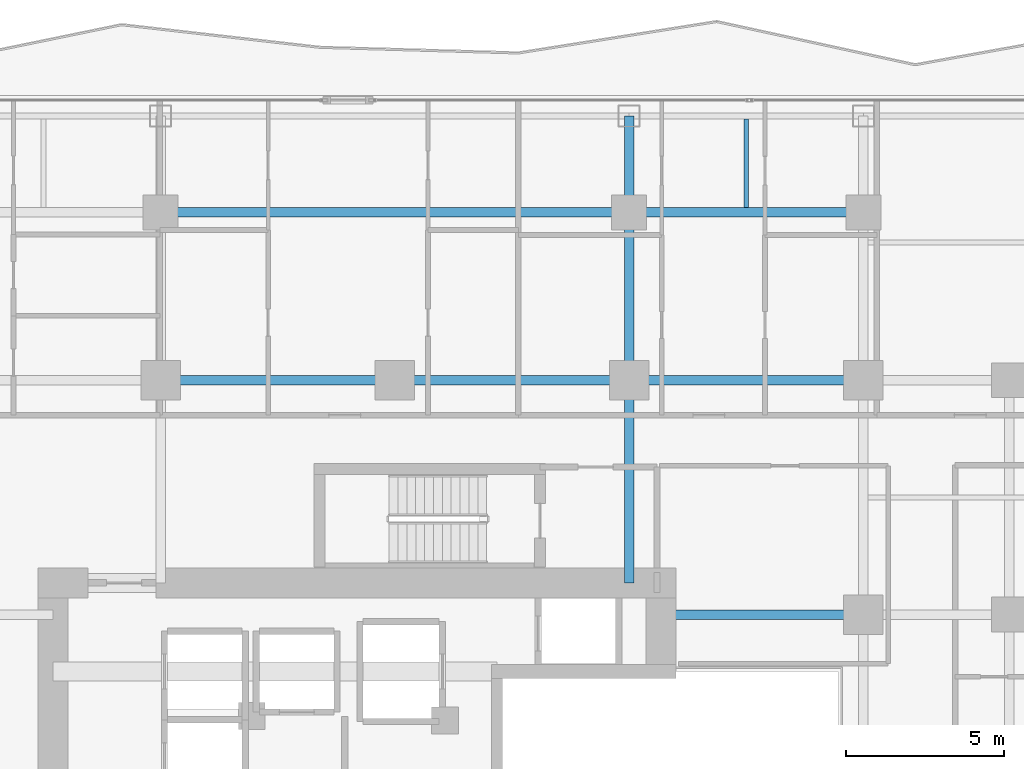
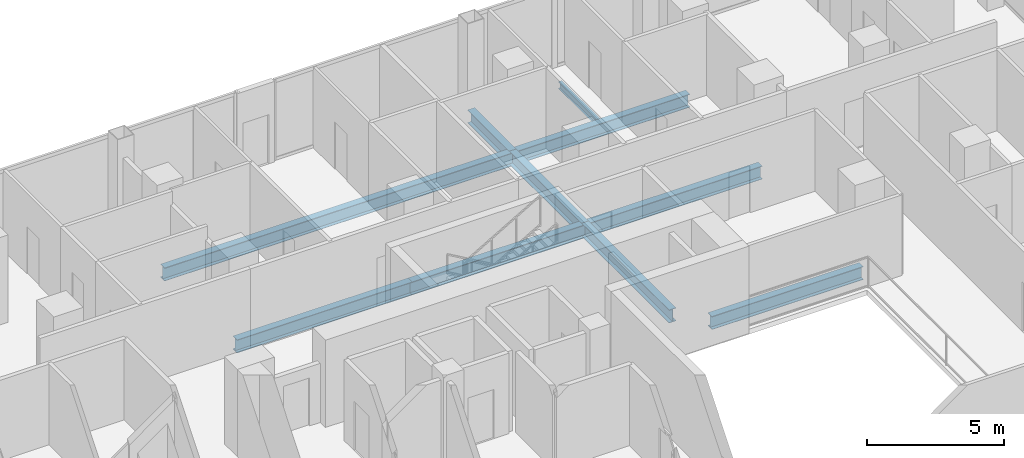
# One storey, part 13 of 27: 10 beams.
"""IFC4 building model written with IfcOpenShell, lengths in metres."""

from ifc_helpers import new_model, si_unit, direction, frame, origin, origin_2d, place, context, subcontext, project, spatial, i_section, extrude, material, material_profile, profile_set, type_object, element, save


model = new_model("IFC4")

# Units and contexts
model_context = context("Model", 3, precision=1e-05, world=origin(), true_north=direction((0.0, 1.0)))
body_context = subcontext(model_context, "Body", "Model", "MODEL_VIEW")
ifc_project = project(units=[si_unit("LENGTHUNIT", "METRE"), si_unit("AREAUNIT", "SQUARE_METRE"), si_unit("VOLUMEUNIT", "CUBIC_METRE"), si_unit("PLANEANGLEUNIT", "RADIAN"), si_unit("MASSUNIT", "GRAM", prefix="KILO")], contexts=[model_context])

# Site, building, storey
site_placement = place(None, origin())
site = spatial("IfcSite", under=ifc_project, at=site_placement, CompositionType="ELEMENT")
building_placement = place(site_placement, origin())
building = spatial("IfcBuilding", under=site, at=building_placement, Name="Khorvyn Point Tower", CompositionType="ELEMENT")
storey_placement = place(building_placement, frame((0.0, 0.0, 152.39990234375)))
storey = spatial("IfcBuildingStorey", under=building, at=storey_placement, Name="L38", CompositionType="ELEMENT", Elevation=152.39990234375)

# Beams
ifc_material = material(Name="Steel S355", Category="steel")
ifc_material_profile_1 = material_profile(ifc_material, i_section(OverallWidth=0.300048828125, OverallDepth=0.587890625, WebThickness=0.011962890625, FlangeThickness=0.02001953125, at=origin_2d()))
ifc_profile_set_1 = profile_set([ifc_material_profile_1], Name="Steel S355 H588x300x12x20")
beam_type_1 = type_object("IfcBeamType", Name="Steel S355 Beam H588x300x12x20", PredefinedType="BEAM", material=ifc_profile_set_1)
for number, where, z_axis, x_axis, name in (
    (1, (-7.39990234375, 14.800048828125, -0.513916015625), (1.0, 0.0, 0.0), (0.0, 1.0, 0.0), "Beam"),
    (2, (0.0, 14.800048828125, -0.513916015625), (1.0, 0.0, 0.0), (0.0, 1.0, 0.0), "Beam"),
):
    element("IfcBeam", number, at=place(storey_placement, frame(where, z_axis=z_axis, x_axis=x_axis)), inside=storey, type_object=beam_type_1, Name=name, PredefinedType="BEAM", context=body_context, shape_type="SweptSolid", body=[
        extrude(i_section(OverallWidth=0.300048828125, OverallDepth=0.587890625, WebThickness=0.011962890625, FlangeThickness=0.02001953125, at=origin_2d()), origin(), (0.0, 0.0, 1.0), 7.39990234375),
    ])
beam_1_placement = place(storey_placement, frame((7.39990234375, 14.800048828125, -0.513916015625), z_axis=(1.0, 0.0, 0.0), x_axis=(0.0, 1.0, 0.0)))
element("IfcBeam", 3, at=beam_1_placement, inside=storey, type_object=beam_type_1, Name="Beam", PredefinedType="BEAM", context=body_context, shape_type="SweptSolid", body=[
    extrude(i_section(OverallWidth=0.300048828125, OverallDepth=0.587890625, WebThickness=0.011962890625, FlangeThickness=0.02001953125, at=origin_2d()), origin(), (0.0, 0.0, 1.0), 7.400146484375),
])
beam_2_placement = place(storey_placement, frame((8.39990234375, 7.39990234375, -0.513916015625), z_axis=(1.0, 0.0, 0.0), x_axis=(0.0, 1.0, 0.0)))
element("IfcBeam", 4, at=beam_2_placement, inside=storey, type_object=beam_type_1, Name="Beam", PredefinedType="BEAM", context=body_context, shape_type="SweptSolid", body=[
    extrude(i_section(OverallWidth=0.300048828125, OverallDepth=0.587890625, WebThickness=0.011962890625, FlangeThickness=0.02001953125, at=origin_2d()), origin(), (0.0, 0.0, 1.0), 6.400146484375),
])
beam_3_placement = place(storey_placement, frame((-7.39990234375, 20.10009765625, -0.513916015625), z_axis=(1.0, 0.0, 0.0), x_axis=(0.0, 1.0, 0.0)))
element("IfcBeam", 5, at=beam_3_placement, inside=storey, type_object=beam_type_1, Name="Beam", PredefinedType="BEAM", context=body_context, shape_type="SweptSolid", body=[
    extrude(i_section(OverallWidth=0.300048828125, OverallDepth=0.587890625, WebThickness=0.011962890625, FlangeThickness=0.02001953125, at=origin_2d()), origin(), (0.0, 0.0, 1.0), 14.7998046875),
])
beam_4_placement = place(storey_placement, frame((7.39990234375, 20.10009765625, -0.513916015625), z_axis=(1.0, 0.0, 0.0), x_axis=(0.0, 1.0, 0.0)))
element("IfcBeam", 6, at=beam_4_placement, inside=storey, type_object=beam_type_1, Name="Beam", PredefinedType="BEAM", context=body_context, shape_type="SweptSolid", body=[
    extrude(i_section(OverallWidth=0.300048828125, OverallDepth=0.587890625, WebThickness=0.011962890625, FlangeThickness=0.02001953125, at=origin_2d()), origin(), (0.0, 0.0, 1.0), 7.400146484375),
])
beam_5_placement = place(storey_placement, frame((7.39990234375, 8.39990234375, -0.513916015625), z_axis=(0.0, 1.0, 0.0), x_axis=(-1.0, 0.0, 0.0)))
element("IfcBeam", 7, at=beam_5_placement, inside=storey, type_object=beam_type_1, Name="Beam", PredefinedType="BEAM", context=body_context, shape_type="SweptSolid", body=[
    extrude(i_section(OverallWidth=0.300048828125, OverallDepth=0.587890625, WebThickness=0.011962890625, FlangeThickness=0.02001953125, at=origin_2d()), origin(), (0.0, 0.0, 1.0), 6.400146484375),
])
beam_6_placement = place(storey_placement, frame((7.39990234375, 14.800048828125, -0.513916015625), z_axis=(0.0, 1.0, 0.0), x_axis=(-1.0, 0.0, 0.0)))
element("IfcBeam", 8, at=beam_6_placement, inside=storey, type_object=beam_type_1, Name="Beam", PredefinedType="BEAM", context=body_context, shape_type="SweptSolid", body=[
    extrude(i_section(OverallWidth=0.300048828125, OverallDepth=0.587890625, WebThickness=0.011962890625, FlangeThickness=0.02001953125, at=origin_2d()), origin(), (0.0, 0.0, 1.0), 5.300048828125),
])
beam_7_placement = place(storey_placement, frame((7.39990234375, 20.10009765625, -0.513916015625), z_axis=(0.0, 1.0, 0.0), x_axis=(-1.0, 0.0, 0.0)))
element("IfcBeam", 9, at=beam_7_placement, inside=storey, type_object=beam_type_1, Name="Beam", PredefinedType="BEAM", context=body_context, shape_type="SweptSolid", body=[
    extrude(i_section(OverallWidth=0.300048828125, OverallDepth=0.587890625, WebThickness=0.011962890625, FlangeThickness=0.02001953125, at=origin_2d()), origin(), (0.0, 0.0, 1.0), 3.0498046875),
])
ifc_material_profile_2 = material_profile(ifc_material, i_section(OverallWidth=0.14990234375, OverallDepth=0.300048828125, WebThickness=0.006591796875, FlangeThickness=0.009033203125, at=origin_2d()))
ifc_profile_set_2 = profile_set([ifc_material_profile_2], Name="Steel S355 H300x150x6.5x9")
beam_type_2 = type_object("IfcBeamType", Name="Steel S355 Joist H300x150x6.5x9", PredefinedType="JOIST", material=ifc_profile_set_2)
beam_8_placement = place(storey_placement, frame((11.10009765625, 20.25, -0.369873046875), z_axis=(0.0, 1.0, 0.0), x_axis=(-1.0, 0.0, 0.0)))
element("IfcBeam", 10, at=beam_8_placement, inside=storey, type_object=beam_type_2, Name="Beam", PredefinedType="JOIST", context=body_context, shape_type="SweptSolid", body=[
    extrude(i_section(OverallWidth=0.14990234375, OverallDepth=0.300048828125, WebThickness=0.006591796875, FlangeThickness=0.009033203125, at=origin_2d()), origin(), (0.0, 0.0, 1.0), 2.800048828125),
])

save(model, "model.ifc")
